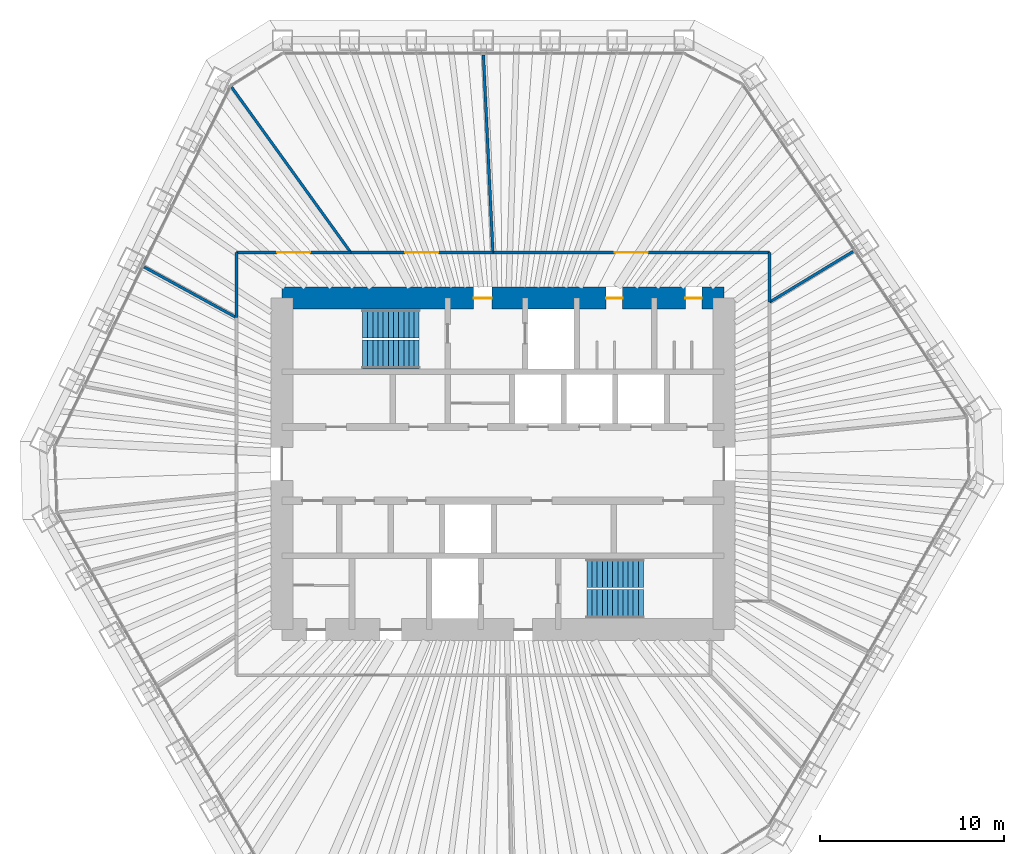
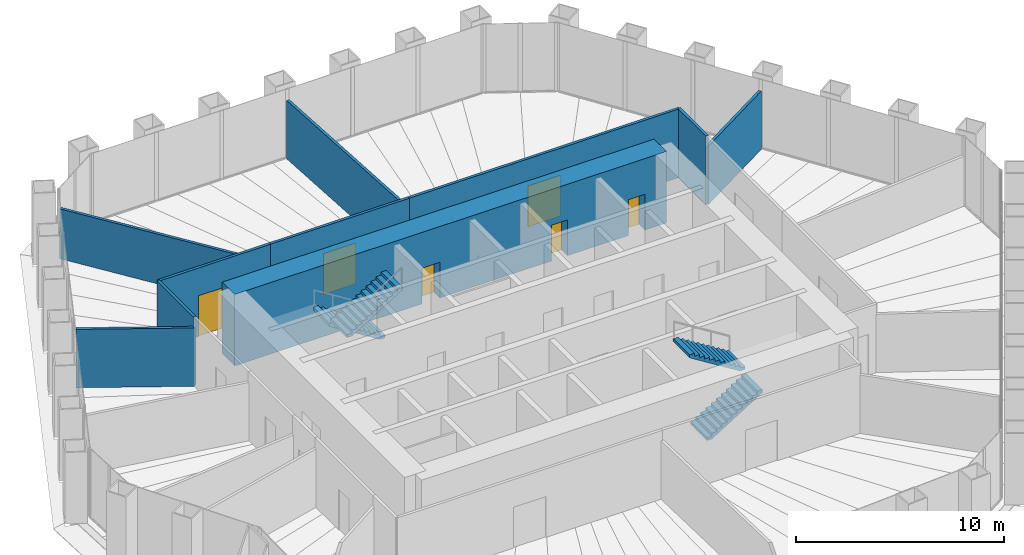
# One storey, part 12 of 13: 10 walls, 6 doors, 4 stair flights, 6 openings, 2 elements without a shape of their own.
"""IFC4 building model written with IfcOpenShell, lengths in metres."""

from ifc_helpers import new_model, si_unit, direction, frame, frame_2d, origin, place, context, subcontext, project, spatial, polyline, rectangle, outline, extrude, material, layer, layer_set, type_object, element, fill, aggregate, save


model = new_model("IFC4")

# Units and contexts
model_context = context("Model", 3, precision=1e-05, world=origin(), true_north=direction((0.0, 1.0)))
body_context = subcontext(model_context, "Body", "Model", "MODEL_VIEW")
ifc_project = project(units=[si_unit("LENGTHUNIT", "METRE"), si_unit("AREAUNIT", "SQUARE_METRE"), si_unit("VOLUMEUNIT", "CUBIC_METRE"), si_unit("PLANEANGLEUNIT", "RADIAN"), si_unit("MASSUNIT", "GRAM", prefix="KILO")], contexts=[model_context])

# Site, building, storey
site_placement = place(None, origin())
site = spatial("IfcSite", under=ifc_project, at=site_placement, CompositionType="ELEMENT")
building_placement = place(site_placement, origin())
building = spatial("IfcBuilding", under=site, at=building_placement, Name="Qingtian Harvest Tower", CompositionType="ELEMENT")
storey_placement = place(building_placement, frame((0.0, 0.0, 218.199951171875)))
storey = spatial("IfcBuildingStorey", under=building, at=storey_placement, Name="L47", CompositionType="ELEMENT", Elevation=218.199951171875)

# Wall, openings, doors
ifc_material_1 = material(Name="Concrete fc' 70 MPa", Category="concrete")
ifc_layer_1 = layer(ifc_material_1, 1.199951171875)
ifc_layer_set_1 = layer_set([ifc_layer_1], Name="Core wall RC2 1200")
wall_type_1 = type_object("IfcWallType", Name="Core wall RC2 1200", PredefinedType="SHEAR", material=ifc_layer_set_1)
wall_1_placement = place(storey_placement, frame((-12.0, 9.0, 0.0), z_axis=(0.0, 0.0, 1.0), x_axis=(1.0, 0.0, 0.0)))
wall_1 = element("IfcWall", 1, at=wall_1_placement, inside=storey, type_object=wall_type_1, Name="Core wall CN L47", PredefinedType="SHEAR", context=body_context, shape_type="SweptSolid", body=[
    extrude(rectangle(XDim=24.0, YDim=1.199951171875, at=frame_2d((12.0, 0.0))), origin(), (0.0, 0.0, 1.0), 4.199951171875),
])
opening_1_placement = place(wall_1_placement, frame((10.39990234375, 0.0, 0.0)))
opening_1 = element("IfcOpeningElement", 2, at=opening_1_placement, cuts=wall_1, Name="Opening FD1", PredefinedType="OPENING", context=body_context, shape_type="SweptSolid", body=[
    extrude(rectangle(XDim=1.0, YDim=2.10009765625, at=frame_2d((0.5, 1.050048828125))), frame((0.0, 0.60986328125, 0.0), z_axis=(0.0, -1.0, 0.0), x_axis=(1.0, 0.0, 0.0)), (0.0, 0.0, 1.0), 1.219970703125),
])
opening_2_placement = place(wall_1_placement, frame((17.60009765625, 0.0, 0.0)))
opening_2 = element("IfcOpeningElement", 3, at=opening_2_placement, cuts=wall_1, Name="Opening D1", PredefinedType="OPENING", context=body_context, shape_type="SweptSolid", body=[
    extrude(rectangle(XDim=0.89990234375, YDim=2.10009765625, at=frame_2d((0.449951171875, 1.050048828125))), frame((0.0, 0.60986328125, 0.0), z_axis=(0.0, -1.0, 0.0), x_axis=(1.0, 0.0, 0.0)), (0.0, 0.0, 1.0), 1.219970703125),
])
opening_3_placement = place(wall_1_placement, frame((21.89990234375, 0.0, 0.0)))
opening_3 = element("IfcOpeningElement", 4, at=opening_3_placement, cuts=wall_1, Name="Opening D1", PredefinedType="OPENING", context=body_context, shape_type="SweptSolid", body=[
    extrude(rectangle(XDim=0.89990234375, YDim=2.10009765625, at=frame_2d((0.449951171875, 1.050048828125))), frame((0.0, 0.60986328125, 0.0), z_axis=(0.0, -1.0, 0.0), x_axis=(1.0, 0.0, 0.0)), (0.0, 0.0, 1.0), 1.219970703125),
])
ifc_material_2 = material(Name="Steel-faced door leaf", Category="steel")
door_type_1 = type_object("IfcDoorType", Name="Fire door FD1 single 1 HR", OperationType="SINGLE_SWING_LEFT", PredefinedType="DOOR", material=ifc_material_2)
door_1_placement = place(opening_1_placement, origin())
door_1 = element("IfcDoor", 5, at=door_1_placement, inside=storey, type_object=door_type_1, Name="V1 door L47", OperationType="SINGLE_SWING_RIGHT", OverallHeight=2.10009765625, OverallWidth=1.0, PredefinedType="DOOR", context=body_context, shape_type="SweptSolid", body=[
    extrude(rectangle(XDim=1.0, YDim=2.10009765625, at=frame_2d((0.5, 1.050048828125))), frame((0.0, 0.02490234375, 0.0), z_axis=(0.0, -1.0, 0.0), x_axis=(1.0, 0.0, 0.0)), (0.0, 0.0, 1.0), 0.050048828125),
])
fill(opening_1, door_1)
ifc_material_3 = material(Name="Laminated timber door leaf", Category="wood")
door_type_2 = type_object("IfcDoorType", Name="Toilet door D1 single", OperationType="SINGLE_SWING_LEFT", PredefinedType="DOOR", material=ifc_material_3)
door_2_placement = place(opening_2_placement, origin())
door_2 = element("IfcDoor", 6, at=door_2_placement, inside=storey, type_object=door_type_2, Name="WCM door L47", OperationType="SINGLE_SWING_LEFT", OverallHeight=2.10009765625, OverallWidth=0.89990234375, PredefinedType="DOOR", context=body_context, shape_type="SweptSolid", body=[
    extrude(rectangle(XDim=0.89990234375, YDim=2.10009765625, at=frame_2d((0.449951171875, 1.050048828125))), frame((0.0, 0.02490234375, 0.0), z_axis=(0.0, -1.0, 0.0), x_axis=(1.0, 0.0, 0.0)), (0.0, 0.0, 1.0), 0.050048828125),
])
fill(opening_2, door_2)
door_3_placement = place(opening_3_placement, origin())
door_3 = element("IfcDoor", 7, at=door_3_placement, inside=storey, type_object=door_type_2, Name="WCF door L47", OperationType="SINGLE_SWING_LEFT", OverallHeight=2.10009765625, OverallWidth=0.89990234375, PredefinedType="DOOR", context=body_context, shape_type="SweptSolid", body=[
    extrude(rectangle(XDim=0.89990234375, YDim=2.10009765625, at=frame_2d((0.449951171875, 1.050048828125))), frame((0.0, 0.02490234375, 0.0), z_axis=(0.0, -1.0, 0.0), x_axis=(1.0, 0.0, 0.0)), (0.0, 0.0, 1.0), 0.050048828125),
])
fill(opening_3, door_3)

# Wall
ifc_material_4 = material(Name="Gypsum board on steel studs", Category="steel")
ifc_layer_2 = layer(ifc_material_4, 0.14990234375)
ifc_layer_set_2 = layer_set([ifc_layer_2], Name="Partition PT1 150")
wall_type_2 = type_object("IfcWallType", Name="Partition PT1 150", PredefinedType="PARTITIONING", material=ifc_layer_set_2)
wall_2_placement = place(storey_placement, frame((-1.066650390625, 22.2001953125, 0.0), z_axis=(0.0, 0.0, 1.0), x_axis=(0.047998335863, -0.998847415652, 0.0)))
element("IfcWall", 8, at=wall_2_placement, inside=storey, type_object=wall_type_2, Name="Tenant lounge wall L47", PredefinedType="PARTITIONING", context=body_context, shape_type="SweptSolid", body=[
    extrude(rectangle(XDim=10.737548828125, YDim=0.14990234375, at=frame_2d((5.36865234375, 0.0))), origin(), (0.0, 0.0, 1.0), 3.429931640625),
])

# Wall, opening, door
wall_3_placement = place(storey_placement, frame((-0.55126953125, 11.47509765625, 0.0), z_axis=(0.0, 0.0, 1.0), x_axis=(1.0, 0.0, 0.0)))
wall_3 = element("IfcWall", 9, at=wall_3_placement, inside=storey, type_object=wall_type_2, Name="Tenant lounge wall L47", PredefinedType="PARTITIONING", context=body_context, shape_type="SweptSolid", body=[
    extrude(rectangle(XDim=15.0263671875, YDim=0.14990234375, at=frame_2d((7.51318359375, 0.0))), origin(), (0.0, 0.0, 1.0), 4.030029296875),
])
opening_4_placement = place(wall_3_placement, frame((6.613037109375, 0.0, 0.0)))
opening_4 = element("IfcOpeningElement", 10, at=opening_4_placement, cuts=wall_3, Name="Opening D3", PredefinedType="OPENING", context=body_context, shape_type="SweptSolid", body=[
    extrude(rectangle(XDim=1.800048828125, YDim=2.39990234375, at=frame_2d((0.89990234375, 1.199951171875))), frame((0.0, 0.0849609375, 0.0), z_axis=(0.0, -1.0, 0.0), x_axis=(1.0, 0.0, 0.0)), (0.0, 0.0, 1.0), 0.169921875),
])
ifc_material_5 = material(Name="Laminated timber door leaf", Category="wood")
door_type_3 = type_object("IfcDoorType", Name="Room door D3 double", OperationType="DOUBLE_DOOR_DOUBLE_SWING", PredefinedType="DOOR", material=ifc_material_5)
door_4_placement = place(opening_4_placement, origin())
door_4 = element("IfcDoor", 11, at=door_4_placement, inside=storey, type_object=door_type_3, Name="Tenant lounge door L47", OperationType="DOUBLE_DOOR_DOUBLE_SWING", OverallHeight=2.39990234375, OverallWidth=1.800048828125, PredefinedType="DOOR", context=body_context, shape_type="SweptSolid", body=[
    extrude(rectangle(XDim=1.800048828125, YDim=2.39990234375, at=frame_2d((0.89990234375, 1.199951171875))), frame((0.0, 0.02490234375, 0.0), z_axis=(0.0, -1.0, 0.0), x_axis=(1.0, 0.0, 0.0)), (0.0, 0.0, 1.0), 0.050048828125),
])
fill(opening_4, door_4)

# Walls
wall_4_placement = place(storey_placement, frame((14.47509765625, 11.47509765625, 0.0), z_axis=(0.0, 0.0, 1.0), x_axis=(0.0, -1.0, 0.0)))
element("IfcWall", 12, at=wall_4_placement, inside=storey, type_object=wall_type_2, Name="Tenant lounge wall L47", PredefinedType="PARTITIONING", context=body_context, shape_type="SweptSolid", body=[
    extrude(rectangle(XDim=2.691650390625, YDim=0.14990234375, at=frame_2d((1.345703125, 0.0))), origin(), (0.0, 0.0, 1.0), 4.030029296875),
])
wall_5_placement = place(storey_placement, frame((19.001220703125, 11.530029296875, 0.0), z_axis=(0.0, 0.0, 1.0), x_axis=(-0.854906581035, -0.518781975114, 0.0)))
element("IfcWall", 13, at=wall_5_placement, inside=storey, type_object=wall_type_2, Name="Fitness room wall L47", PredefinedType="PARTITIONING", context=body_context, shape_type="SweptSolid", body=[
    extrude(rectangle(XDim=5.294189453125, YDim=0.14990234375, at=frame_2d((2.64697265625, 0.0))), origin(), (0.0, 0.0, 1.0), 3.429931640625),
])
wall_6_placement = place(storey_placement, frame((-19.48583984375, 10.6904296875, 0.0), z_axis=(0.0, 0.0, 1.0), x_axis=(0.876724089264, -0.480993629172, 0.0)))
element("IfcWall", 14, at=wall_6_placement, inside=storey, type_object=wall_type_2, Name="Meeting room wall L47", PredefinedType="PARTITIONING", context=body_context, shape_type="SweptSolid", body=[
    extrude(rectangle(XDim=5.71533203125, YDim=0.14990234375, at=frame_2d((2.857666015625, 0.0))), origin(), (0.0, 0.0, 1.0), 3.429931640625),
])
wall_7_placement = place(storey_placement, frame((-14.47509765625, 7.94140625, 0.0), z_axis=(0.0, 0.0, 1.0), x_axis=(0.0, 1.0, 0.0)))
element("IfcWall", 15, at=wall_7_placement, inside=storey, type_object=wall_type_2, Name="Meeting room wall L47", PredefinedType="PARTITIONING", context=body_context, shape_type="SweptSolid", body=[
    extrude(rectangle(XDim=3.53369140625, YDim=0.14990234375, at=frame_2d((1.766845703125, 0.0))), origin(), (0.0, 0.0, 1.0), 4.030029296875),
])

# Wall, opening, door
wall_8_placement = place(storey_placement, frame((-14.47509765625, 11.47509765625, 0.0), z_axis=(0.0, 0.0, 1.0), x_axis=(1.0, 0.0, 0.0)))
wall_8 = element("IfcWall", 16, at=wall_8_placement, inside=storey, type_object=wall_type_2, Name="Meeting room wall L47", PredefinedType="PARTITIONING", context=body_context, shape_type="SweptSolid", body=[
    extrude(rectangle(XDim=6.2080078125, YDim=0.14990234375, at=frame_2d((3.10400390625, 0.0))), origin(), (0.0, 0.0, 1.0), 4.030029296875),
])
opening_5_placement = place(wall_8_placement, frame((2.2041015625, 0.0, 0.0)))
opening_5 = element("IfcOpeningElement", 17, at=opening_5_placement, cuts=wall_8, Name="Opening D3", PredefinedType="OPENING", context=body_context, shape_type="SweptSolid", body=[
    extrude(rectangle(XDim=1.800048828125, YDim=2.39990234375, at=frame_2d((0.89990234375, 1.199951171875))), frame((0.0, 0.0849609375, 0.0), z_axis=(0.0, -1.0, 0.0), x_axis=(1.0, 0.0, 0.0)), (0.0, 0.0, 1.0), 0.169921875),
])
door_5_placement = place(opening_5_placement, origin())
door_5 = element("IfcDoor", 18, at=door_5_placement, inside=storey, type_object=door_type_3, Name="Meeting room door L47", OperationType="DOUBLE_DOOR_DOUBLE_SWING", OverallHeight=2.39990234375, OverallWidth=1.800048828125, PredefinedType="DOOR", context=body_context, shape_type="SweptSolid", body=[
    extrude(rectangle(XDim=1.800048828125, YDim=2.39990234375, at=frame_2d((0.89990234375, 1.199951171875))), frame((0.0, 0.02490234375, 0.0), z_axis=(0.0, -1.0, 0.0), x_axis=(1.0, 0.0, 0.0)), (0.0, 0.0, 1.0), 0.050048828125),
])
fill(opening_5, door_5)

# Wall
wall_9_placement = place(storey_placement, frame((-14.736572265625, 20.454833984375, 0.0), z_axis=(0.0, 0.0, 1.0), x_axis=(0.584547025688, -0.811359830629, 0.0)))
element("IfcWall", 19, at=wall_9_placement, inside=storey, type_object=wall_type_2, Name="Library wall L47", PredefinedType="PARTITIONING", context=body_context, shape_type="SweptSolid", body=[
    extrude(rectangle(XDim=11.067626953125, YDim=0.14990234375, at=frame_2d((5.53369140625, 0.0))), origin(), (0.0, 0.0, 1.0), 2.929931640625),
])

# Wall, opening, door
wall_10_placement = place(storey_placement, frame((-8.26708984375, 11.47509765625, 0.0), z_axis=(0.0, 0.0, 1.0), x_axis=(1.0, 0.0, 0.0)))
wall_10 = element("IfcWall", 20, at=wall_10_placement, inside=storey, type_object=wall_type_2, Name="Library wall L47", PredefinedType="PARTITIONING", context=body_context, shape_type="SweptSolid", body=[
    extrude(rectangle(XDim=7.7158203125, YDim=0.14990234375, at=frame_2d((3.85791015625, 0.0))), origin(), (0.0, 0.0, 1.0), 4.030029296875),
])
opening_6_placement = place(wall_10_placement, frame((2.957763671875, 0.0, 0.0)))
opening_6 = element("IfcOpeningElement", 21, at=opening_6_placement, cuts=wall_10, Name="Opening D3", PredefinedType="OPENING", context=body_context, shape_type="SweptSolid", body=[
    extrude(rectangle(XDim=1.800048828125, YDim=2.39990234375, at=frame_2d((0.89990234375, 1.199951171875))), frame((0.0, 0.0849609375, 0.0), z_axis=(0.0, -1.0, 0.0), x_axis=(1.0, 0.0, 0.0)), (0.0, 0.0, 1.0), 0.169921875),
])
door_6_placement = place(opening_6_placement, origin())
door_6 = element("IfcDoor", 22, at=door_6_placement, inside=storey, type_object=door_type_3, Name="Library door L47", OperationType="DOUBLE_DOOR_DOUBLE_SWING", OverallHeight=2.39990234375, OverallWidth=1.800048828125, PredefinedType="DOOR", context=body_context, shape_type="SweptSolid", body=[
    extrude(rectangle(XDim=1.800048828125, YDim=2.39990234375, at=frame_2d((0.89990234375, 1.199951171875))), frame((0.0, 0.02490234375, 0.0), z_axis=(0.0, -1.0, 0.0), x_axis=(1.0, 0.0, 0.0)), (0.0, 0.0, 1.0), 0.050048828125),
])
fill(opening_6, door_6)

# Stair, stair flights
ifc_material_6 = material(Name="Concrete fc' 35 MPa", Category="concrete")
stair_type = type_object("IfcStairType", Name="Special stair ST4 4200", PredefinedType="HALF_TURN_STAIR", material=ifc_material_6)
stair_1_placement = place(storey_placement, origin())
stair_1 = element("IfcStair", 23, at=stair_1_placement, inside=storey, type_object=stair_type, Name="Special stair S1 L47", PredefinedType="HALF_TURN_STAIR")
ifc_material_7 = material(Name="Concrete fc' 35 MPa", Category="concrete")
stair_flight_type = type_object("IfcStairFlightType", Name="Stair flight SF4 4200", PredefinedType="STRAIGHT", material=ifc_material_7)
stair_flight_1_placement = place(storey_placement, frame((-4.550048828125, 7.612548828125, 0.0), z_axis=(0.0, 0.0, 1.0), x_axis=(-1.0, 0.0, 0.0)))
stair_flight_1 = element("IfcStairFlight", 24, at=stair_flight_1_placement, type_object=stair_flight_type, Name="S1 flight 1", NumberOfRisers=12, NumberOfTreads=11, PredefinedType="STRAIGHT", RiserHeight=0.175, TreadLength=0.28, context=body_context, shape_type="SweptSolid", body=[
    extrude(outline(polyline([(0.0, 0.0), (0.0, 0.175048828125), (0.280029296875, 0.175048828125), (0.280029296875, 0.35009765625), (0.56005859375, 0.35009765625), (0.56005859375, 0.52490234375), (0.840087890625, 0.52490234375), (0.840087890625, 0.699951171875), (1.1201171875, 0.699951171875), (1.1201171875, 0.875), (1.39990234375, 0.875), (1.39990234375, 1.050048828125), (1.679931640625, 1.050048828125), (1.679931640625, 1.22509765625), (1.9599609375, 1.22509765625), (1.9599609375, 1.39990234375), (2.239990234375, 1.39990234375), (2.239990234375, 1.574951171875), (2.52001953125, 1.574951171875), (2.52001953125, 1.75), (2.800048828125, 1.75), (2.800048828125, 1.925048828125), (3.080078125, 1.925048828125), (3.080078125, 2.10009765625), (3.080078125, 1.748291015625), (0.28271484375, 0.0), (0.0, 0.0)])), frame((0.0, 0.78759765625, 0.0), z_axis=(0.0, -1.0, 0.0), x_axis=(1.0, 0.0, 0.0)), (0.0, 0.0, 1.0), 1.574951171875),
])
stair_flight_2_placement = place(storey_placement, frame((-7.6298828125, 5.9375, 2.10009765625), z_axis=(0.0, 0.0, 1.0), x_axis=(1.0, 0.0, 0.0)))
stair_flight_2 = element("IfcStairFlight", 25, at=stair_flight_2_placement, type_object=stair_flight_type, Name="S1 flight 2", NumberOfRisers=12, NumberOfTreads=11, PredefinedType="STRAIGHT", RiserHeight=0.175, TreadLength=0.28, context=body_context, shape_type="SweptSolid", body=[
    extrude(outline(polyline([(0.0, 0.0), (0.0, 0.175048828125), (0.280029296875, 0.175048828125), (0.280029296875, 0.35009765625), (0.56005859375, 0.35009765625), (0.56005859375, 0.52490234375), (0.840087890625, 0.52490234375), (0.840087890625, 0.699951171875), (1.1201171875, 0.699951171875), (1.1201171875, 0.875), (1.39990234375, 0.875), (1.39990234375, 1.050048828125), (1.679931640625, 1.050048828125), (1.679931640625, 1.22509765625), (1.9599609375, 1.22509765625), (1.9599609375, 1.39990234375), (2.239990234375, 1.39990234375), (2.239990234375, 1.574951171875), (2.52001953125, 1.574951171875), (2.52001953125, 1.75), (2.800048828125, 1.75), (2.800048828125, 1.925048828125), (3.080078125, 1.925048828125), (3.080078125, 2.10009765625), (3.080078125, 1.748291015625), (0.28271484375, 0.0), (0.0, 0.0)])), frame((0.0, 0.78759765625, 0.0), z_axis=(0.0, -1.0, 0.0), x_axis=(1.0, 0.0, 0.0)), (0.0, 0.0, 1.0), 1.574951171875),
])
aggregate(stair_1, [stair_flight_1, stair_flight_2])

stair_2_placement = place(storey_placement, origin())
stair_2 = element("IfcStair", 26, at=stair_2_placement, inside=storey, type_object=stair_type, Name="Special stair S2 L47", PredefinedType="HALF_TURN_STAIR")
stair_flight_3_placement = place(storey_placement, frame((4.550048828125, -7.612548828125, 0.0), z_axis=(0.0, 0.0, 1.0), x_axis=(1.0, 0.0, 0.0)))
stair_flight_3 = element("IfcStairFlight", 27, at=stair_flight_3_placement, type_object=stair_flight_type, Name="S2 flight 1", NumberOfRisers=12, NumberOfTreads=11, PredefinedType="STRAIGHT", RiserHeight=0.175, TreadLength=0.28, context=body_context, shape_type="SweptSolid", body=[
    extrude(outline(polyline([(0.0, 0.0), (0.0, 0.175048828125), (0.280029296875, 0.175048828125), (0.280029296875, 0.35009765625), (0.56005859375, 0.35009765625), (0.56005859375, 0.52490234375), (0.840087890625, 0.52490234375), (0.840087890625, 0.699951171875), (1.1201171875, 0.699951171875), (1.1201171875, 0.875), (1.39990234375, 0.875), (1.39990234375, 1.050048828125), (1.679931640625, 1.050048828125), (1.679931640625, 1.22509765625), (1.9599609375, 1.22509765625), (1.9599609375, 1.39990234375), (2.239990234375, 1.39990234375), (2.239990234375, 1.574951171875), (2.52001953125, 1.574951171875), (2.52001953125, 1.75), (2.800048828125, 1.75), (2.800048828125, 1.925048828125), (3.080078125, 1.925048828125), (3.080078125, 2.10009765625), (3.080078125, 1.748291015625), (0.28271484375, 0.0), (0.0, 0.0)])), frame((0.0, 0.78759765625, 0.0), z_axis=(0.0, -1.0, 0.0), x_axis=(1.0, 0.0, 0.0)), (0.0, 0.0, 1.0), 1.574951171875),
])
stair_flight_4_placement = place(storey_placement, frame((7.6298828125, -5.9375, 2.10009765625), z_axis=(0.0, 0.0, 1.0), x_axis=(-1.0, 0.0, 0.0)))
stair_flight_4 = element("IfcStairFlight", 28, at=stair_flight_4_placement, type_object=stair_flight_type, Name="S2 flight 2", NumberOfRisers=12, NumberOfTreads=11, PredefinedType="STRAIGHT", RiserHeight=0.175, TreadLength=0.28, context=body_context, shape_type="SweptSolid", body=[
    extrude(outline(polyline([(0.0, 0.0), (0.0, 0.175048828125), (0.280029296875, 0.175048828125), (0.280029296875, 0.35009765625), (0.56005859375, 0.35009765625), (0.56005859375, 0.52490234375), (0.840087890625, 0.52490234375), (0.840087890625, 0.699951171875), (1.1201171875, 0.699951171875), (1.1201171875, 0.875), (1.39990234375, 0.875), (1.39990234375, 1.050048828125), (1.679931640625, 1.050048828125), (1.679931640625, 1.22509765625), (1.9599609375, 1.22509765625), (1.9599609375, 1.39990234375), (2.239990234375, 1.39990234375), (2.239990234375, 1.574951171875), (2.52001953125, 1.574951171875), (2.52001953125, 1.75), (2.800048828125, 1.75), (2.800048828125, 1.925048828125), (3.080078125, 1.925048828125), (3.080078125, 2.10009765625), (3.080078125, 1.748291015625), (0.28271484375, 0.0), (0.0, 0.0)])), frame((0.0, 0.78759765625, 0.0), z_axis=(0.0, -1.0, 0.0), x_axis=(1.0, 0.0, 0.0)), (0.0, 0.0, 1.0), 1.574951171875),
])
aggregate(stair_2, [stair_flight_3, stair_flight_4])

save(model, "model.ifc")
